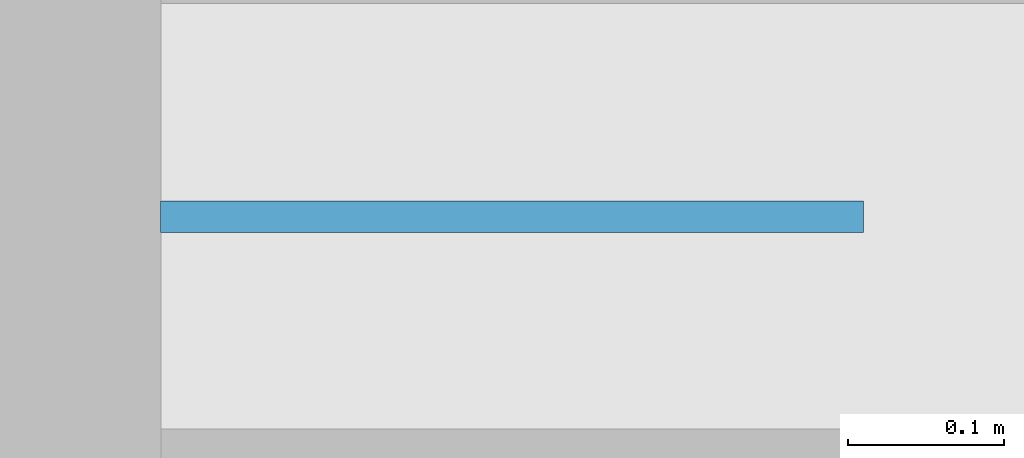
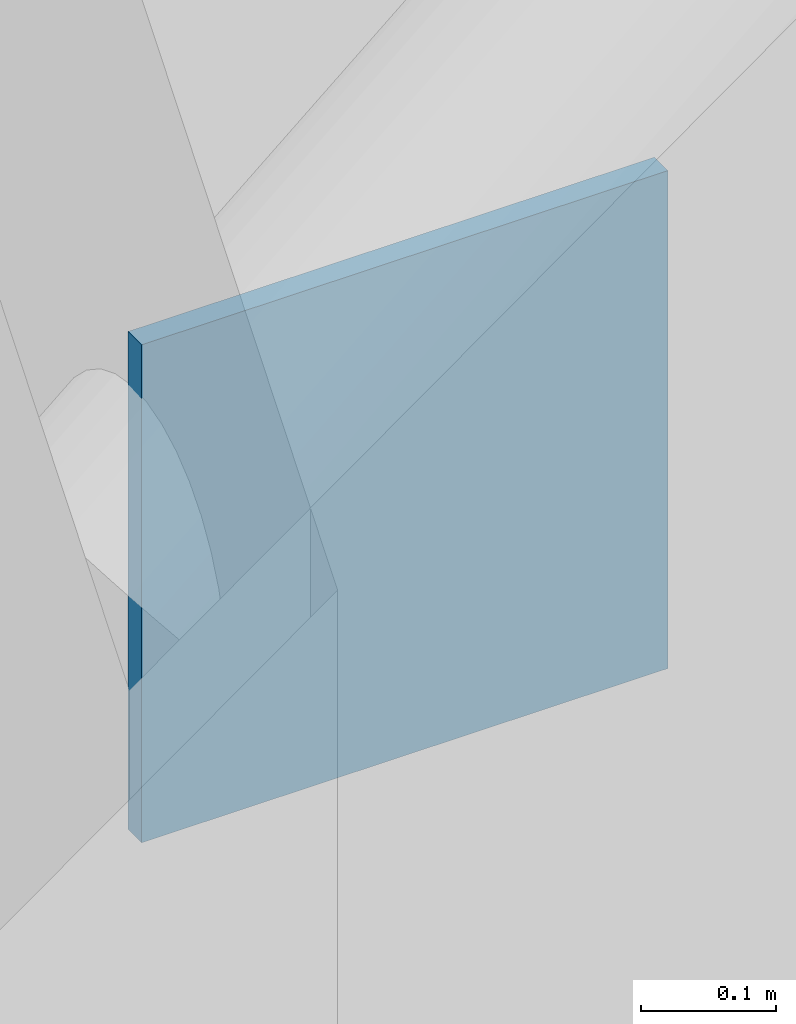
# One storey, part 79 of 100: 1 plate.
"""IFC4 building model written with IfcOpenShell, lengths in metres."""

from ifc_helpers import new_model, si_unit, direction, frame, origin, origin_2d, place, context, subcontext, project, spatial, rectangle, extrude, material, layer, layer_set, type_object, element, save


model = new_model("IFC4")

# Units and contexts
model_context = context("Model", 3, precision=1e-05, world=origin(), true_north=direction((0.0, 1.0)))
body_context = subcontext(model_context, "Body", "Model", "MODEL_VIEW")
ifc_project = project(units=[si_unit("LENGTHUNIT", "METRE"), si_unit("AREAUNIT", "SQUARE_METRE"), si_unit("VOLUMEUNIT", "CUBIC_METRE"), si_unit("PLANEANGLEUNIT", "RADIAN"), si_unit("MASSUNIT", "GRAM", prefix="KILO")], contexts=[model_context])

# Site, building, storey
site_placement = place(None, origin())
site = spatial("IfcSite", under=ifc_project, at=site_placement, CompositionType="ELEMENT")
building_placement = place(site_placement, origin())
building = spatial("IfcBuilding", under=site, at=building_placement, Name="Tasgan Crest Museum", CompositionType="ELEMENT")
storey_placement = place(building_placement, frame((0.0, 0.0, 14.39990234375)))
storey = spatial("IfcBuildingStorey", under=building, at=storey_placement, Name="L03", CompositionType="ELEMENT", Elevation=14.39990234375)

# Plate
ifc_material = material(Name="Steel S355K2", Category="steel")
ifc_layer = layer(ifc_material, 0.02001953125, Name="PL-GUSSET-450")
ifc_layer_set = layer_set([ifc_layer], Name="Steel S355K2")
plate_type = type_object("IfcPlateType", Name="PL-GUSSET-450", PredefinedType="USERDEFINED", material=ifc_layer_set)
plate_placement = place(storey_placement, frame((119.324951171875, 62.0, 0.125), z_axis=(0.0, 0.0, 1.0), x_axis=(1.0, 0.0, 0.0)))
element("IfcPlate", 1, at=plate_placement, inside=storey, type_object=plate_type, Name="Diagonal gusset plate L03 G 118.8", ObjectType="GUSSET PLATE", PredefinedType="USERDEFINED", context=body_context, shape_type="SweptSolid", body=[
    extrude(rectangle(XDim=0.449951171875, YDim=0.02001953125, at=origin_2d()), origin(), (0.0, 0.0, 1.0), 0.449951171875),
])

save(model, "model.ifc")
